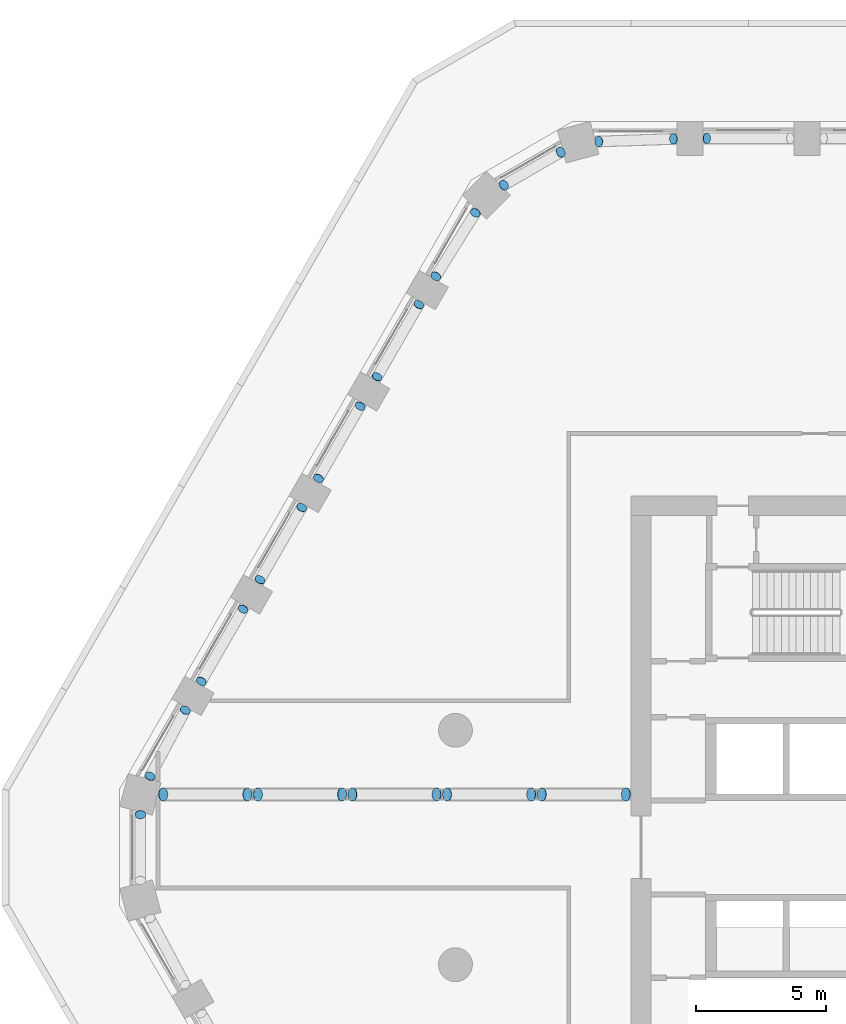
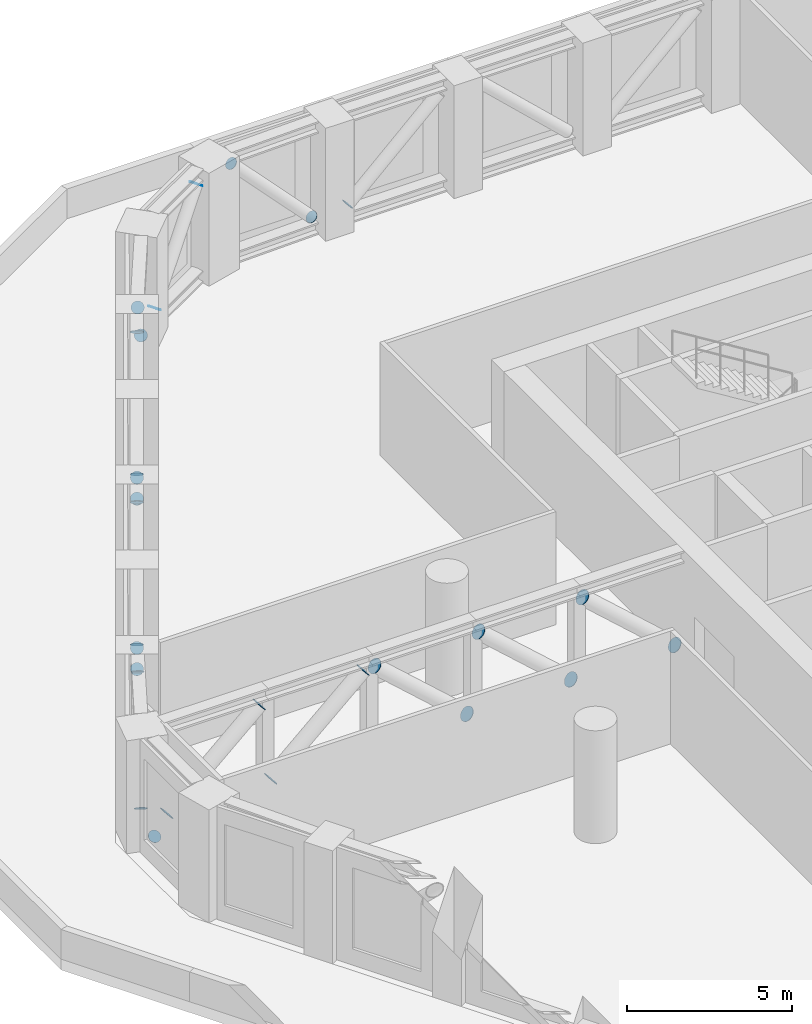
# One storey, part 15 of 18: 28 discrete accessories.
"""IFC4 building model written with IfcOpenShell, lengths in metres."""

import ifcopenshell
import ifcopenshell.guid

model = None  # the IFC model being written
_history = None  # IfcOwnerHistory: only IFC2X3 demands one
_inside = {}  # id of a spatial element -> (the spatial element, [elements in it])
_under = {}  # id of a project, library or spatial element -> (it, [spatial elements below it])
_declared = {}  # id of a project -> (the project, [libraries it declares])
_typed = {}  # id of a type object -> (the type object, [elements of that type])
_made_of = {}  # id of a material, layer set ... -> (it, [elements and type objects made of it])


def new_model(schema):
    """Start an empty IFC model of exactly this schema.

    Asked for "IFC4X3", IfcOpenShell would pick the latest addendum, in which some entities
    have other attributes; the version numbers below select the first issue.
    IFC2X3 requires an IfcOwnerHistory on every rooted entity: one is made here for all.
    """
    global model, _history
    if schema == "IFC4X3":
        model = ifcopenshell.file(schema_version=(4, 3, 0, 0))
    else:
        model = ifcopenshell.file(schema=schema)
    _inside.clear()
    _under.clear()
    _declared.clear()
    _typed.clear()
    _made_of.clear()
    _history = None
    if model.schema == "IFC2X3":
        org = make("IfcOrganization", Name="unknown")
        user = make(
            "IfcPersonAndOrganization",
            ThePerson=make("IfcPerson", FamilyName="unknown"),
            TheOrganization=org,
        )
        app = make(
            "IfcApplication",
            ApplicationDeveloper=org,
            Version="unknown",
            ApplicationFullName="unknown",
            ApplicationIdentifier="unknown",
        )
        _history = make(
            "IfcOwnerHistory",
            OwningUser=user,
            OwningApplication=app,
            ChangeAction="ADDED",
            CreationDate=0,
        )
    return model


def make(cls, **values):
    """One entity of the class cls with the attributes given. An attribute that is None is left unset."""
    return model.create_entity(
        cls, **{name: value for name, value in values.items() if value is not None}
    )


def rooted(cls, **values):
    """An entity with a GlobalId (a new one), such as an element, a storey or a relation."""
    return make(cls, GlobalId=ifcopenshell.guid.new(), OwnerHistory=_history, **values)


def si_unit(unit_type, name, prefix=None):
    """IfcSIUnit, for example si_unit("LENGTHUNIT", "METRE", prefix="MILLI")."""
    return make("IfcSIUnit", UnitType=unit_type, Prefix=prefix, Name=name)


def assignment(units):
    """IfcUnitAssignment: the units of a project."""
    return None if units is None else make("IfcUnitAssignment", Units=units)


def point(xyz):
    """IfcCartesianPoint."""
    return None if xyz is None else make("IfcCartesianPoint", Coordinates=xyz)


def direction(xyz):
    """IfcDirection."""
    return None if xyz is None else make("IfcDirection", DirectionRatios=xyz)


def frame(location, z_axis=None, x_axis=None):
    """IfcAxis2Placement3D, a coordinate frame: its origin and axes. An axis left out is left unset."""
    return make(
        "IfcAxis2Placement3D",
        Location=point(location),
        Axis=direction(z_axis),
        RefDirection=direction(x_axis),
    )


def frame_2d(location, x_axis=None):
    """IfcAxis2Placement2D, a coordinate frame in the plane: its origin and x axis."""
    return make(
        "IfcAxis2Placement2D", Location=point(location), RefDirection=direction(x_axis)
    )


def origin():
    """The frame at (0, 0, 0) with its axes left unset."""
    return frame((0.0, 0.0, 0.0))


def origin_2d():
    """The frame at (0, 0) in the plane with its x axis left unset."""
    return frame_2d((0.0, 0.0))


def place(relative_to, where):
    """IfcLocalPlacement: puts the frame where relative to a parent placement (None: the world)."""
    return make(
        "IfcLocalPlacement", PlacementRelTo=relative_to, RelativePlacement=where
    )


def context(
    kind, dimensions, precision=None, world=None, true_north=None, identifier=None
):
    """IfcGeometricRepresentationContext, for example the 3D "Model" context."""
    return make(
        "IfcGeometricRepresentationContext",
        ContextIdentifier=identifier,
        ContextType=kind,
        CoordinateSpaceDimension=dimensions,
        Precision=precision,
        WorldCoordinateSystem=world,
        TrueNorth=true_north,
    )


def subcontext(parent, identifier, kind, view, scale=None):
    """IfcGeometricRepresentationSubContext, for example "Body" below "Model"."""
    return make(
        "IfcGeometricRepresentationSubContext",
        ContextIdentifier=identifier,
        ContextType=kind,
        ParentContext=parent,
        TargetScale=scale,
        TargetView=view,
    )


def project(units=None, contexts=None):
    """IfcProject with its units and contexts."""
    return rooted(
        "IfcProject",
        Name="project",
        RepresentationContexts=contexts,
        UnitsInContext=assignment(units),
    )


def spatial(cls, under=None, at=None, **own):
    """A site, building, storey or space (cls), placed at a placement, below another one or the project."""
    s = rooted(cls, ObjectPlacement=at, **own)
    if under is not None:
        _under.setdefault(under.id(), (under, []))[1].append(s)
    return s


def profile(cls, at=None, kind="AREA", **sizes):
    """A parametric profile (cls). Its sizes go by their IFC names, for example OverallWidth=200.0."""
    return make(cls, ProfileType=kind, Position=at, **sizes)


def circle(**sizes):
    """IfcCircleProfileDef."""
    return profile("IfcCircleProfileDef", **sizes)


def extrude(swept, where, along, depth):
    """IfcExtrudedAreaSolid: the profile swept, set in the frame where, extruded along a direction by depth."""
    return make(
        "IfcExtrudedAreaSolid",
        SweptArea=swept,
        Position=where,
        ExtrudedDirection=direction(along),
        Depth=depth,
    )


def shape(context_of_items, identifier, shape_type, items):
    """IfcShapeRepresentation: the items that make up one representation, for example the "Body"."""
    return make(
        "IfcShapeRepresentation",
        ContextOfItems=context_of_items,
        RepresentationIdentifier=identifier,
        RepresentationType=shape_type,
        Items=items,
    )


def material(Name=None, Category=None):
    """IfcMaterial."""
    return make("IfcMaterial", Name=Name, Category=Category)


def material_profile(
    of_material, cross_section, Name=None, Category=None, Priority=None
):
    """IfcMaterialProfile: a cross section and its material."""
    return make(
        "IfcMaterialProfile",
        Name=Name,
        Material=of_material,
        Profile=cross_section,
        Priority=Priority,
        Category=Category,
    )


def profile_set(profiles, Name=None, composite=None):
    """IfcMaterialProfileSet."""
    return make(
        "IfcMaterialProfileSet",
        Name=Name,
        MaterialProfiles=profiles,
        CompositeProfile=composite,
    )


def made_of(thing, what):
    """Note that an element or type object is made of a material, layer set ...; save() writes the relation."""
    if what is not None:
        _made_of.setdefault(what.id(), (what, []))[1].append(thing)
    return thing


def type_object(cls, material=None, **own):
    """A type object (cls), such as IfcWallType, which elements share."""
    return made_of(rooted(cls, **own), material)


def element(
    cls,
    number,
    at=None,
    inside=None,
    cuts=None,
    type_object=None,
    material=None,
    context=None,
    identifier="Body",
    shape_type=None,
    held_by="IfcProductDefinitionShape",
    body=None,
    shapes=None,
    **own,
):
    """One element of the class cls, such as IfcWall. Its Tag is "e" and its number.

    at: its placement. inside: the storey or other place that contains it. cuts: it is an
    opening in that element (IfcRelVoidsElement). A single representation is given by context,
    identifier, shape_type and body (its items); several are given by shapes. held_by: the class
    of the entity that holds the representations. save() writes the other relations.
    """
    e = rooted(cls, Tag="e%d" % number, ObjectPlacement=at, **own)
    if body is not None:
        shapes = [shape(context, identifier, shape_type, body)]
    if shapes is not None:
        e.Representation = make(held_by, Representations=shapes)
    if inside is not None:
        _inside.setdefault(inside.id(), (inside, []))[1].append(e)
    if cuts is not None:
        rooted(
            "IfcRelVoidsElement", RelatingBuildingElement=cuts, RelatedOpeningElement=e
        )
    if type_object is not None:
        _typed.setdefault(type_object.id(), (type_object, []))[1].append(e)
    return made_of(e, material)


def aggregate(whole, parts):
    """IfcRelAggregates: a whole, such as a stair, and the parts it consists of."""
    return rooted("IfcRelAggregates", RelatingObject=whole, RelatedObjects=parts)


def save(model, path):
    """Write the relations noted so far, then the file.

    IfcRelAggregates (storeys below a building ...), IfcRelContainedInSpatialStructure (elements
    in a storey), IfcRelDefinesByType, IfcRelAssociatesMaterial and IfcRelDeclares: one each for
    every whole, place, type object, material and project.
    """
    for whole, parts in _under.values():
        aggregate(whole, parts)
    for where, things in _inside.values():
        rooted(
            "IfcRelContainedInSpatialStructure",
            RelatedElements=things,
            RelatingStructure=where,
        )
    for kind, things in _typed.values():
        rooted("IfcRelDefinesByType", RelatedObjects=things, RelatingType=kind)
    for what, things in _made_of.values():
        rooted("IfcRelAssociatesMaterial", RelatedObjects=things, RelatingMaterial=what)
    for by, libraries in _declared.values():
        rooted("IfcRelDeclares", RelatingContext=by, RelatedDefinitions=libraries)
    model.write(path)


model = new_model("IFC4")

# Units and contexts
model_context = context("Model", 3, precision=1e-05, world=origin(), true_north=direction((0.0, 1.0)))
body_context = subcontext(model_context, "Body", "Model", "MODEL_VIEW")
ifc_project = project(units=[si_unit("LENGTHUNIT", "METRE"), si_unit("AREAUNIT", "SQUARE_METRE"), si_unit("VOLUMEUNIT", "CUBIC_METRE"), si_unit("PLANEANGLEUNIT", "RADIAN"), si_unit("MASSUNIT", "GRAM", prefix="KILO")], contexts=[model_context])

# Site, building, storey
site_placement = place(None, origin())
site = spatial("IfcSite", under=ifc_project, at=site_placement, CompositionType="ELEMENT")
building_placement = place(site_placement, origin())
building = spatial("IfcBuilding", under=site, at=building_placement, Name="Dhurran Vertical Campus", CompositionType="ELEMENT")
storey_placement = place(building_placement, frame((0.0, 0.0, 128.10009765625)))
storey = spatial("IfcBuildingStorey", under=building, at=storey_placement, Name="L31 Plant", CompositionType="ELEMENT", Elevation=128.10009765625)

# Discrete accessories
ifc_material_1 = material(Name="Steel S355J2", Category="steel")
ifc_material_profile_1 = material_profile(ifc_material_1, circle(Radius=0.203125, at=origin_2d()), Name="Tube end cap 406 x 20")
ifc_profile_set_1 = profile_set([ifc_material_profile_1], Name="Steel S355J2")
discrete_accessory_type_1 = type_object("IfcDiscreteAccessoryType", Name="Tube end cap 406 x 20", PredefinedType="USERDEFINED", material=ifc_profile_set_1)
for number, where, z_axis, x_axis, name in (
    (1, (-12.843505859375, 27.232666015625, 0.58251953125), (-0.731055268243, 0.0, -0.68231825036), (0.0, -1.0, 0.0), "EC1 belt L31 d29 capA"),
    (2, (-14.131591796875, 27.211181640625, 0.574462890625), (0.682115751988, 0.024361276857, -0.730838305701), (-0.035691530512, 0.999362854348, 0.0), "EC1 belt L31 d30 capA"),
):
    element("IfcDiscreteAccessory", number, at=place(storey_placement, frame(where, z_axis=z_axis, x_axis=x_axis)), inside=storey, type_object=discrete_accessory_type_1, Name=name, ObjectType="END CAP", PredefinedType="USERDEFINED", context=body_context, shape_type="SweptSolid", body=[
        extrude(circle(Radius=0.203125, at=origin_2d()), origin(), (0.0, 0.0, 1.0), 0.02001953125),
    ])
discrete_accessory_1_placement = place(storey_placement, frame((-16.988037109375, 27.11376953125, 3.600341796875), z_axis=(-0.688548425874, -0.02415959389, 0.724787816709), x_axis=(0.035066140133, -0.999384993792, 0.0)))
element("IfcDiscreteAccessory", 3, at=discrete_accessory_1_placement, inside=storey, type_object=discrete_accessory_type_1, Name="EC1 belt L31 d30 capB", ObjectType="END CAP", PredefinedType="USERDEFINED", context=body_context, shape_type="SweptSolid", body=[
    extrude(circle(Radius=0.203125, at=origin_2d()), origin(), (0.0, 0.0, 1.0), 0.020263671875),
])
for number, where, z_axis, x_axis, name in (
    (4, (-20.63916015625, 25.439697265625, 0.564208984375), (-0.550997459976, -0.318354087986, -0.771396443966), (0.500277597875, -0.865865073245, 0.0), "EC1 belt L31 d31 capA"),
    (5, (-18.4619140625, 26.69677734375, 3.610595703125), (0.550997459976, 0.318354087986, 0.771396443966), (-0.500277597875, 0.865865073245, 0.0), "EC1 belt L31 d31 capB"),
    (6, (-21.7373046875, 24.371826171875, 0.574462890625), (0.363696483727, 0.581914373963, -0.727392967453), (-0.847998304005, 0.529998940003, 0.0), "EC1 belt L31 d32 capA"),
    (7, (-23.249755859375, 21.947021484375, 3.600341796875), (-0.363696483727, -0.581914373963, 0.727392967453), (0.847998304005, -0.529998940003, 0.0), "EC1 belt L31 d32 capB"),
    (8, (-25.506103515625, 18.08203125, 0.58251953125), (-0.354794813064, -0.636183802736, -0.685121018331), (0.873363874328, -0.487068314529, 0.0), "EC1 belt L31 d33 capA"),
    (9, (-23.912353515625, 20.842041015625, 3.59228515625), (0.354794813064, 0.636183802736, 0.685121018331), (-0.873363874328, 0.487068314529, 0.0), "EC1 belt L31 d33 capB"),
):
    element("IfcDiscreteAccessory", number, at=place(storey_placement, frame(where, z_axis=z_axis, x_axis=x_axis)), inside=storey, type_object=discrete_accessory_type_1, Name=name, ObjectType="END CAP", PredefinedType="USERDEFINED", context=body_context, shape_type="SweptSolid", body=[
        extrude(circle(Radius=0.203125, at=origin_2d()), origin(), (0.0, 0.0, 1.0), 0.02001953125),
    ])
discrete_accessory_2_placement = place(storey_placement, frame((-26.162353515625, 16.945068359375, 0.58251953125), z_axis=(0.357561757546, 0.628815504649, -0.690464083536), x_axis=(-0.869290118928, 0.494302224488, 0.0)))
element("IfcDiscreteAccessory", 10, at=discrete_accessory_2_placement, inside=storey, type_object=discrete_accessory_type_1, Name="EC1 belt L31 d34 capA", ObjectType="END CAP", PredefinedType="USERDEFINED", context=body_context, shape_type="SweptSolid", body=[
    extrude(circle(Radius=0.203125, at=origin_2d()), origin(), (0.0, 0.0, 1.0), 0.019775390625),
])
discrete_accessory_3_placement = place(storey_placement, frame((-27.756103515625, 14.184814453125, 3.59228515625), z_axis=(-0.354794813064, -0.636183802736, 0.685121018331), x_axis=(0.873363874328, -0.487068314529, 0.0)))
element("IfcDiscreteAccessory", 11, at=discrete_accessory_3_placement, inside=storey, type_object=discrete_accessory_type_1, Name="EC1 belt L31 d34 capB", ObjectType="END CAP", PredefinedType="USERDEFINED", context=body_context, shape_type="SweptSolid", body=[
    extrude(circle(Radius=0.203125, at=origin_2d()), origin(), (0.0, 0.0, 1.0), 0.02001953125),
])
for number, where, z_axis, x_axis, name in (
    (12, (-30.006103515625, 10.28759765625, 0.58251953125), (-0.357561757546, -0.628815504649, -0.690464083536), (0.869290118928, -0.494302224488, 0.0), "EC1 belt L31 d35 capA"),
    (13, (-28.412353515625, 13.0478515625, 3.59228515625), (0.357561757546, 0.628815504649, 0.690464083536), (-0.869290118928, 0.494302224488, 0.0), "EC1 belt L31 d35 capB"),
):
    element("IfcDiscreteAccessory", number, at=place(storey_placement, frame(where, z_axis=z_axis, x_axis=x_axis)), inside=storey, type_object=discrete_accessory_type_1, Name=name, ObjectType="END CAP", PredefinedType="USERDEFINED", context=body_context, shape_type="SweptSolid", body=[
        extrude(circle(Radius=0.203125, at=origin_2d()), origin(), (0.0, 0.0, 1.0), 0.019775390625),
    ])
for number, where, z_axis, x_axis, name in (
    (14, (-30.662353515625, 9.150634765625, 0.58251953125), (0.354794813064, 0.636183802736, -0.685121018331), (-0.873363874328, 0.487068314529, 0.0), "EC1 belt L31 d36 capA"),
    (15, (-32.256103515625, 6.390625, 3.59228515625), (-0.354794813064, -0.636183802736, 0.685121018331), (0.873363874328, -0.487068314529, 0.0), "EC1 belt L31 d36 capB"),
    (16, (-34.225341796875, 2.741943359375, 0.574462890625), (-0.315854194987, -0.607411913437, -0.728894296125), (0.887216801235, -0.461352736642, 0.0), "EC1 belt L31 d37 capA"),
    (17, (-32.88134765625, 5.264404296875, 3.600341796875), (0.318187166989, 0.599660430095, 0.734278077667), (-0.883349020695, 0.468715806899, 0.0), "EC1 belt L31 d37 capB"),
    (18, (-34.60107421875, 1.257080078125, 0.564208984375), (0.0, 0.63656503651, -0.771223025002), (-1.0, 0.0, 0.0), "EC1 belt L31 d38 capA"),
):
    element("IfcDiscreteAccessory", number, at=place(storey_placement, frame(where, z_axis=z_axis, x_axis=x_axis)), inside=storey, type_object=discrete_accessory_type_1, Name=name, ObjectType="END CAP", PredefinedType="USERDEFINED", context=body_context, shape_type="SweptSolid", body=[
        extrude(circle(Radius=0.203125, at=origin_2d()), origin(), (0.0, 0.0, 1.0), 0.02001953125),
    ])
ifc_material_2 = material(Name="Steel S355J2", Category="steel")
ifc_material_profile_2 = material_profile(ifc_material_2, circle(Radius=0.25390625, at=origin_2d()), Name="Tube end cap 508 x 20")
ifc_profile_set_2 = profile_set([ifc_material_profile_2], Name="Steel S355J2")
discrete_accessory_type_2 = type_object("IfcDiscreteAccessoryType", Name="Tube end cap 508 x 20", PredefinedType="USERDEFINED", material=ifc_profile_set_2)
for number, where, z_axis, x_axis, name in (
    (19, (-15.96044921875, 2.03662109375, 0.643798828125), (0.748762225055, 0.0, -0.662838691033), (0.0, 1.0, 0.0), "EC1 outrigger L31 OR-W d0 capA"),
    (20, (-19.17529296875, 2.03662109375, 3.531005859375), (-0.748762225055, 0.0, 0.662838691033), (0.0, -1.0, 0.0), "EC1 outrigger L31 OR-W d0 capB"),
    (21, (-19.59619140625, 2.03662109375, 0.643798828125), (0.748762225055, 0.0, -0.662838691033), (0.0, 1.0, 0.0), "EC1 outrigger L31 OR-W d1 capA"),
    (22, (-22.810791015625, 2.03662109375, 3.531005859375), (-0.748762225055, 0.0, 0.662838691033), (0.0, -1.0, 0.0), "EC1 outrigger L31 OR-W d1 capB"),
    (23, (-23.231689453125, 2.03662109375, 0.643798828125), (0.748762225055, 0.0, -0.662838691033), (0.0, 1.0, 0.0), "EC1 outrigger L31 OR-W d2 capA"),
    (24, (-26.4462890625, 2.03662109375, 3.531005859375), (-0.748762225055, 0.0, 0.662838691033), (0.0, -1.0, 0.0), "EC1 outrigger L31 OR-W d2 capB"),
    (25, (-30.08203125, 2.03662109375, 0.643798828125), (-0.748762225055, 0.0, -0.662838691033), (0.0, -1.0, 0.0), "EC1 outrigger L31 OR-W d3 capA"),
    (26, (-26.8671875, 2.03662109375, 3.531005859375), (0.748762225055, 0.0, 0.662838691033), (0.0, 1.0, 0.0), "EC1 outrigger L31 OR-W d3 capB"),
    (27, (-33.7177734375, 2.03662109375, 0.643798828125), (-0.743294146247, 0.0, -0.668964731622), (0.0, -1.0, 0.0), "EC1 outrigger L31 OR-W d4 capA"),
    (28, (-30.5029296875, 2.03662109375, 3.531005859375), (0.748762225055, 0.0, 0.662838691033), (0.0, 1.0, 0.0), "EC1 outrigger L31 OR-W d4 capB"),
):
    element("IfcDiscreteAccessory", number, at=place(storey_placement, frame(where, z_axis=z_axis, x_axis=x_axis)), inside=storey, type_object=discrete_accessory_type_2, Name=name, ObjectType="END CAP", PredefinedType="USERDEFINED", context=body_context, shape_type="SweptSolid", body=[
        extrude(circle(Radius=0.25390625, at=origin_2d()), origin(), (0.0, 0.0, 1.0), 0.019775390625),
    ])

save(model, "model.ifc")
